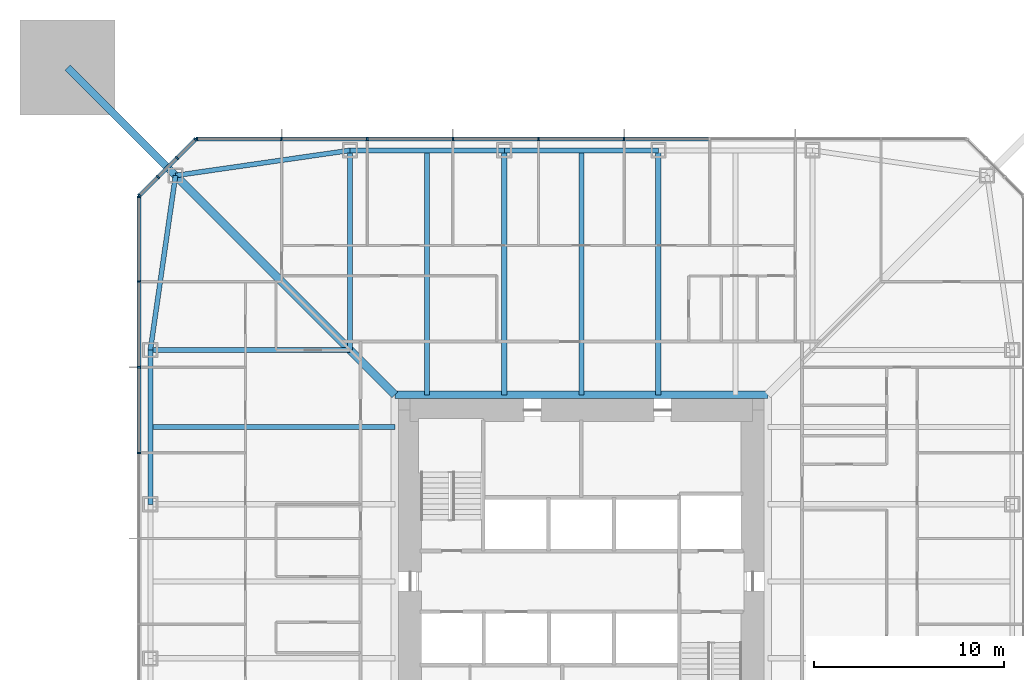
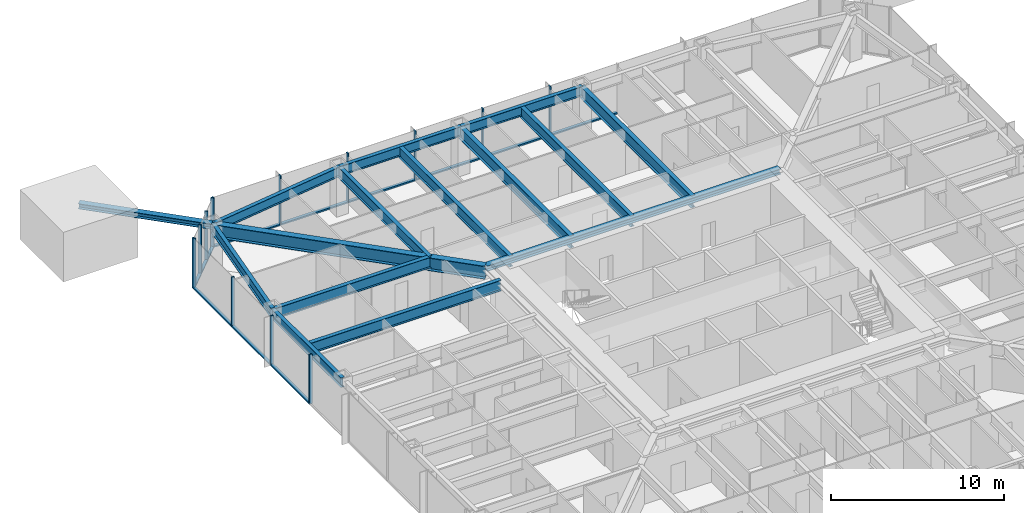
# One storey, part 6 of 26: 27 members, 14 beams, 3 elements without a shape of their own.
"""IFC4 building model written with IfcOpenShell, lengths in metres."""

from ifc_helpers import new_model, si_unit, direction, frame, origin, origin_2d, place, context, subcontext, project, spatial, rectangle, i_section, extrude, material, material_profile, profile_set, type_object, element, aggregate, save


model = new_model("IFC4")

# Units and contexts
model_context = context("Model", 3, precision=1e-05, world=origin(), true_north=direction((0.0, 1.0)))
body_context = subcontext(model_context, "Body", "Model", "MODEL_VIEW")
ifc_project = project(units=[si_unit("LENGTHUNIT", "METRE"), si_unit("AREAUNIT", "SQUARE_METRE"), si_unit("VOLUMEUNIT", "CUBIC_METRE"), si_unit("PLANEANGLEUNIT", "RADIAN"), si_unit("MASSUNIT", "GRAM", prefix="KILO")], contexts=[model_context])

# Site, building, storey
site_placement = place(None, origin())
site = spatial("IfcSite", under=ifc_project, at=site_placement, CompositionType="ELEMENT")
building_placement = place(site_placement, origin())
building = spatial("IfcBuilding", under=site, at=building_placement, Name="Iwan Alto Co-Living Towers", CompositionType="ELEMENT")
storey_placement = place(building_placement, frame((0.0, 0.0, 57.0)))
storey = spatial("IfcBuildingStorey", under=building, at=storey_placement, Name="L15", CompositionType="ELEMENT", Elevation=57.0)

# Curtain wall, members
ifc_material_1 = material(Name="Bronze aluminium unitised frame", Category="aluminium")
curtain_wall_type_1 = type_object("IfcCurtainWallType", Name="CURTAIN WALL CW-A", PredefinedType="NOTDEFINED", material=ifc_material_1)
curtain_wall_1_placement = place(storey_placement, origin())
curtain_wall_1 = element("IfcCurtainWall", 1, at=curtain_wall_1_placement, inside=storey, type_object=curtain_wall_type_1, Name="T1 curtain wall N L15", PredefinedType="NOTDEFINED")
ifc_material_2 = material(Name="Aluminium 6063-T6 bronze anodised", Category="aluminium")
ifc_material_profile_1 = material_profile(ifc_material_2, rectangle(XDim=0.199951171875, YDim=0.080078125, at=origin_2d()), Name="AL 80X200")
ifc_profile_set_1 = profile_set([ifc_material_profile_1], Name="Aluminium 6063-T6 bronze anodised")
member_type_1 = type_object("IfcMemberType", Name="CW-A MULLION 80X200", PredefinedType="MULLION", material=ifc_profile_set_1)
member_1_placement = place(storey_placement, frame((2.25, 23.25, 0.0), z_axis=(0.0, 0.0, 1.0), x_axis=(0.0, -1.0, 0.0)))
member_1 = element("IfcMember", 2, at=member_1_placement, type_object=member_type_1, Name="CW-A mullion 5", PredefinedType="MULLION", context=body_context, shape_type="SweptSolid", body=[
    extrude(rectangle(XDim=0.199951171875, YDim=0.080078125, at=origin_2d()), origin(), (0.0, 0.0, 1.0), 3.5),
])
member_2_placement = place(storey_placement, frame((-2.25, 23.25, 0.0), z_axis=(0.0, 0.0, 1.0), x_axis=(0.0, -1.0, 0.0)))
member_2 = element("IfcMember", 3, at=member_2_placement, type_object=member_type_1, Name="CW-A mullion 6", PredefinedType="MULLION", context=body_context, shape_type="SweptSolid", body=[
    extrude(rectangle(XDim=0.199951171875, YDim=0.080078125, at=origin_2d()), origin(), (0.0, 0.0, 1.0), 3.5),
])
member_3_placement = place(storey_placement, frame((-6.75, 23.25, 0.0), z_axis=(0.0, 0.0, 1.0), x_axis=(0.0, -1.0, 0.0)))
member_3 = element("IfcMember", 4, at=member_3_placement, type_object=member_type_1, Name="CW-A mullion 7", PredefinedType="MULLION", context=body_context, shape_type="SweptSolid", body=[
    extrude(rectangle(XDim=0.199951171875, YDim=0.080078125, at=origin_2d()), origin(), (0.0, 0.0, 1.0), 3.5),
])
member_4_placement = place(storey_placement, frame((-11.25, 23.25, 0.0), z_axis=(0.0, 0.0, 1.0), x_axis=(0.0, -1.0, 0.0)))
member_4 = element("IfcMember", 5, at=member_4_placement, type_object=member_type_1, Name="CW-A mullion 8", PredefinedType="MULLION", context=body_context, shape_type="SweptSolid", body=[
    extrude(rectangle(XDim=0.199951171875, YDim=0.080078125, at=origin_2d()), origin(), (0.0, 0.0, 1.0), 3.5),
])
member_5_placement = place(storey_placement, frame((-15.75, 23.25, 0.0), z_axis=(0.0, 0.0, 1.0), x_axis=(0.0, -1.0, 0.0)))
member_5 = element("IfcMember", 6, at=member_5_placement, type_object=member_type_1, Name="CW-A mullion 9", PredefinedType="MULLION", context=body_context, shape_type="SweptSolid", body=[
    extrude(rectangle(XDim=0.199951171875, YDim=0.080078125, at=origin_2d()), origin(), (0.0, 0.0, 1.0), 3.5),
])
member_6_placement = place(storey_placement, frame((-20.2099609375, 23.25, 0.0), z_axis=(0.0, 0.0, 1.0), x_axis=(0.0, -1.0, 0.0)))
member_6 = element("IfcMember", 7, at=member_6_placement, type_object=member_type_1, Name="CW-A mullion 10", PredefinedType="MULLION", context=body_context, shape_type="SweptSolid", body=[
    extrude(rectangle(XDim=0.199951171875, YDim=0.080078125, at=origin_2d()), origin(), (0.0, 0.0, 1.0), 3.5),
])

curtain_wall_2_placement = place(storey_placement, origin())
curtain_wall_2 = element("IfcCurtainWall", 8, at=curtain_wall_2_placement, inside=storey, type_object=curtain_wall_type_1, Name="T1 curtain wall W L15", PredefinedType="NOTDEFINED")
member_7_placement = place(storey_placement, frame((-23.25, 20.2099609375, 0.0), z_axis=(0.0, 0.0, 1.0), x_axis=(1.0, 0.0, 0.0)))
member_7 = element("IfcMember", 9, at=member_7_placement, type_object=member_type_1, Name="CW-A mullion 1", PredefinedType="MULLION", context=body_context, shape_type="SweptSolid", body=[
    extrude(rectangle(XDim=0.199951171875, YDim=0.080078125, at=origin_2d()), origin(), (0.0, 0.0, 1.0), 3.5),
])
member_8_placement = place(storey_placement, frame((-23.25, 15.75, 0.0), z_axis=(0.0, 0.0, 1.0), x_axis=(1.0, 0.0, 0.0)))
member_8 = element("IfcMember", 10, at=member_8_placement, type_object=member_type_1, Name="CW-A mullion 2", PredefinedType="MULLION", context=body_context, shape_type="SweptSolid", body=[
    extrude(rectangle(XDim=0.199951171875, YDim=0.080078125, at=origin_2d()), origin(), (0.0, 0.0, 1.0), 3.5),
])
member_9_placement = place(storey_placement, frame((-23.25, 11.25, 0.0), z_axis=(0.0, 0.0, 1.0), x_axis=(1.0, 0.0, 0.0)))
member_9 = element("IfcMember", 11, at=member_9_placement, type_object=member_type_1, Name="CW-A mullion 3", PredefinedType="MULLION", context=body_context, shape_type="SweptSolid", body=[
    extrude(rectangle(XDim=0.199951171875, YDim=0.080078125, at=origin_2d()), origin(), (0.0, 0.0, 1.0), 3.5),
])
member_10_placement = place(storey_placement, frame((-23.25, 6.75, 0.0), z_axis=(0.0, 0.0, 1.0), x_axis=(1.0, 0.0, 0.0)))
member_10 = element("IfcMember", 12, at=member_10_placement, type_object=member_type_1, Name="CW-A mullion 4", PredefinedType="MULLION", context=body_context, shape_type="SweptSolid", body=[
    extrude(rectangle(XDim=0.199951171875, YDim=0.080078125, at=origin_2d()), origin(), (0.0, 0.0, 1.0), 3.5),
])

# Member
ifc_material_3 = material(Name="Aluminium 6063-T6 bronze anodised", Category="aluminium")
ifc_material_profile_2 = material_profile(ifc_material_3, rectangle(XDim=0.199951171875, YDim=0.10009765625, at=origin_2d()), Name="AL 200X100")
ifc_profile_set_2 = profile_set([ifc_material_profile_2], Name="Aluminium 6063-T6 bronze anodised")
member_type_2 = type_object("IfcMemberType", Name="CW-A TRANSOM 200X100", PredefinedType="USERDEFINED", material=ifc_profile_set_2)
member_11_placement = place(storey_placement, frame((6.7099609375, 23.25, 0.050048828125), z_axis=(-1.0, 0.0, 0.0), x_axis=(0.0, -1.0, 0.0)))
member_11 = element("IfcMember", 13, at=member_11_placement, type_object=member_type_2, Name="CW-A transom 4.1", ObjectType="TRANSOM", PredefinedType="USERDEFINED", context=body_context, shape_type="SweptSolid", body=[
    extrude(rectangle(XDim=0.199951171875, YDim=0.10009765625, at=origin_2d()), origin(), (0.0, 0.0, 1.0), 4.419921875),
])

member_12_placement = place(storey_placement, frame((2.2099609375, 23.25, 0.050048828125), z_axis=(-1.0, 0.0, 0.0), x_axis=(0.0, -1.0, 0.0)))
member_12 = element("IfcMember", 14, at=member_12_placement, type_object=member_type_2, Name="CW-A transom 5.1", ObjectType="TRANSOM", PredefinedType="USERDEFINED", context=body_context, shape_type="SweptSolid", body=[
    extrude(rectangle(XDim=0.199951171875, YDim=0.10009765625, at=origin_2d()), origin(), (0.0, 0.0, 1.0), 4.419921875),
])

member_13_placement = place(storey_placement, frame((-2.2900390625, 23.25, 0.050048828125), z_axis=(-1.0, 0.0, 0.0), x_axis=(0.0, -1.0, 0.0)))
member_13 = element("IfcMember", 15, at=member_13_placement, type_object=member_type_2, Name="CW-A transom 6.1", ObjectType="TRANSOM", PredefinedType="USERDEFINED", context=body_context, shape_type="SweptSolid", body=[
    extrude(rectangle(XDim=0.199951171875, YDim=0.10009765625, at=origin_2d()), origin(), (0.0, 0.0, 1.0), 4.419921875),
])

member_14_placement = place(storey_placement, frame((-6.7900390625, 23.25, 0.050048828125), z_axis=(-1.0, 0.0, 0.0), x_axis=(0.0, -1.0, 0.0)))
member_14 = element("IfcMember", 16, at=member_14_placement, type_object=member_type_2, Name="CW-A transom 7.1", ObjectType="TRANSOM", PredefinedType="USERDEFINED", context=body_context, shape_type="SweptSolid", body=[
    extrude(rectangle(XDim=0.199951171875, YDim=0.10009765625, at=origin_2d()), origin(), (0.0, 0.0, 1.0), 4.419921875),
])

member_15_placement = place(storey_placement, frame((-11.2900390625, 23.25, 0.050048828125), z_axis=(-1.0, 0.0, 0.0), x_axis=(0.0, -1.0, 0.0)))
member_15 = element("IfcMember", 17, at=member_15_placement, type_object=member_type_2, Name="CW-A transom 8.1", ObjectType="TRANSOM", PredefinedType="USERDEFINED", context=body_context, shape_type="SweptSolid", body=[
    extrude(rectangle(XDim=0.199951171875, YDim=0.10009765625, at=origin_2d()), origin(), (0.0, 0.0, 1.0), 4.419921875),
])

member_16_placement = place(storey_placement, frame((-15.7900390625, 23.25, 0.050048828125), z_axis=(-1.0, 0.0, 0.0), x_axis=(0.0, -1.0, 0.0)))
member_16 = element("IfcMember", 18, at=member_16_placement, type_object=member_type_2, Name="CW-A transom 9.1", ObjectType="TRANSOM", PredefinedType="USERDEFINED", context=body_context, shape_type="SweptSolid", body=[
    extrude(rectangle(XDim=0.199951171875, YDim=0.10009765625, at=origin_2d()), origin(), (0.0, 0.0, 1.0), 4.3798828125),
])

aggregate(curtain_wall_1, [member_1, member_2, member_3, member_4, member_5, member_6, member_11, member_12, member_13, member_14, member_15, member_16])

member_17_placement = place(storey_placement, frame((-23.25, 20.169921875, 0.050048828125), z_axis=(0.0, -1.0, 0.0), x_axis=(1.0, 0.0, 0.0)))
member_17 = element("IfcMember", 19, at=member_17_placement, type_object=member_type_2, Name="CW-A transom 1.1", ObjectType="TRANSOM", PredefinedType="USERDEFINED", context=body_context, shape_type="SweptSolid", body=[
    extrude(rectangle(XDim=0.199951171875, YDim=0.10009765625, at=origin_2d()), origin(), (0.0, 0.0, 1.0), 4.3798828125),
])

member_18_placement = place(storey_placement, frame((-23.25, 15.7099609375, 0.050048828125), z_axis=(0.0, -1.0, 0.0), x_axis=(1.0, 0.0, 0.0)))
member_18 = element("IfcMember", 20, at=member_18_placement, type_object=member_type_2, Name="CW-A transom 2.1", ObjectType="TRANSOM", PredefinedType="USERDEFINED", context=body_context, shape_type="SweptSolid", body=[
    extrude(rectangle(XDim=0.199951171875, YDim=0.10009765625, at=origin_2d()), origin(), (0.0, 0.0, 1.0), 4.419921875),
])

member_19_placement = place(storey_placement, frame((-23.25, 11.2099609375, 0.050048828125), z_axis=(0.0, -1.0, 0.0), x_axis=(1.0, 0.0, 0.0)))
member_19 = element("IfcMember", 21, at=member_19_placement, type_object=member_type_2, Name="CW-A transom 3.1", ObjectType="TRANSOM", PredefinedType="USERDEFINED", context=body_context, shape_type="SweptSolid", body=[
    extrude(rectangle(XDim=0.199951171875, YDim=0.10009765625, at=origin_2d()), origin(), (0.0, 0.0, 1.0), 4.419921875),
])

aggregate(curtain_wall_2, [member_7, member_8, member_9, member_10, member_17, member_18, member_19])

# Curtain wall, members
ifc_material_4 = material(Name="Bronze aluminium unitised frame", Category="aluminium")
curtain_wall_type_2 = type_object("IfcCurtainWallType", Name="CURTAIN WALL CW-B", PredefinedType="NOTDEFINED", material=ifc_material_4)
curtain_wall_3_placement = place(storey_placement, origin())
curtain_wall_3 = element("IfcCurtainWall", 22, at=curtain_wall_3_placement, inside=storey, type_object=curtain_wall_type_2, Name="T1 chamfer curtain wall NW L15", PredefinedType="NOTDEFINED")
ifc_material_5 = material(Name="Aluminium 6063-T6 bronze anodised", Category="aluminium")
ifc_material_profile_3 = material_profile(ifc_material_5, rectangle(XDim=0.199951171875, YDim=0.080078125, at=origin_2d()), Name="AL 80X200")
ifc_profile_set_3 = profile_set([ifc_material_profile_3], Name="Aluminium 6063-T6 bronze anodised")
member_type_3 = type_object("IfcMemberType", Name="CW-B MULLION 80X200", PredefinedType="MULLION", material=ifc_profile_set_3)
member_20_placement = place(storey_placement, frame((-20.2783203125, 23.2216796875, 0.0), z_axis=(0.0, 0.0, 1.0), x_axis=(0.707106781187, -0.707106781187, 0.0)))
member_20 = element("IfcMember", 23, at=member_20_placement, type_object=member_type_3, Name="CW-B mullion 1", PredefinedType="MULLION", context=body_context, shape_type="SweptSolid", body=[
    extrude(rectangle(XDim=0.199951171875, YDim=0.080078125, at=origin_2d()), origin(), (0.0, 0.0, 1.0), 3.5),
])
member_21_placement = place(storey_placement, frame((-21.25, 22.25, 0.0), z_axis=(0.0, 0.0, 1.0), x_axis=(0.707106781187, -0.707106781187, 0.0)))
member_21 = element("IfcMember", 24, at=member_21_placement, type_object=member_type_3, Name="CW-B mullion 2", PredefinedType="MULLION", context=body_context, shape_type="SweptSolid", body=[
    extrude(rectangle(XDim=0.199951171875, YDim=0.080078125, at=origin_2d()), origin(), (0.0, 0.0, 1.0), 3.5),
])
member_22_placement = place(storey_placement, frame((-22.25, 21.25, 0.0), z_axis=(0.0, 0.0, 1.0), x_axis=(0.707106781187, -0.707106781187, 0.0)))
member_22 = element("IfcMember", 25, at=member_22_placement, type_object=member_type_3, Name="CW-B mullion 3", PredefinedType="MULLION", context=body_context, shape_type="SweptSolid", body=[
    extrude(rectangle(XDim=0.199951171875, YDim=0.080078125, at=origin_2d()), origin(), (0.0, 0.0, 1.0), 3.5),
])
member_23_placement = place(storey_placement, frame((-23.2216796875, 20.2783203125, 0.0), z_axis=(0.0, 0.0, 1.0), x_axis=(0.707106781187, -0.707106781187, 0.0)))
member_23 = element("IfcMember", 26, at=member_23_placement, type_object=member_type_3, Name="CW-B mullion 4", PredefinedType="MULLION", context=body_context, shape_type="SweptSolid", body=[
    extrude(rectangle(XDim=0.199951171875, YDim=0.080078125, at=origin_2d()), origin(), (0.0, 0.0, 1.0), 3.5),
])
ifc_material_6 = material(Name="Aluminium 6063-T6 bronze anodised", Category="aluminium")
ifc_material_profile_4 = material_profile(ifc_material_6, rectangle(XDim=0.199951171875, YDim=0.10009765625, at=origin_2d()), Name="AL 200X100")
ifc_profile_set_4 = profile_set([ifc_material_profile_4], Name="Aluminium 6063-T6 bronze anodised")
member_type_4 = type_object("IfcMemberType", Name="CW-B TRANSOM 200X100", PredefinedType="USERDEFINED", material=ifc_profile_set_4)
member_24_placement = place(storey_placement, frame((-20.306640625, 23.193359375, 0.050048828125), z_axis=(-0.707106781187, -0.707106781187, 0.0), x_axis=(0.707106781187, -0.707106781187, 0.0)))
member_24 = element("IfcMember", 27, at=member_24_placement, type_object=member_type_4, Name="CW-B transom 1.1", ObjectType="TRANSOM", PredefinedType="USERDEFINED", context=body_context, shape_type="SweptSolid", body=[
    extrude(rectangle(XDim=0.199951171875, YDim=0.10009765625, at=origin_2d()), origin(), (0.0, 0.0, 1.0), 1.2939453125),
])
member_25_placement = place(storey_placement, frame((-21.2783203125, 22.2216796875, 0.050048828125), z_axis=(-0.707106781187, -0.707106781187, 0.0), x_axis=(0.707106781187, -0.707106781187, 0.0)))
member_25 = element("IfcMember", 28, at=member_25_placement, type_object=member_type_4, Name="CW-B transom 2.1", ObjectType="TRANSOM", PredefinedType="USERDEFINED", context=body_context, shape_type="SweptSolid", body=[
    extrude(rectangle(XDim=0.199951171875, YDim=0.10009765625, at=origin_2d()), origin(), (0.0, 0.0, 1.0), 1.334228515625),
])
member_26_placement = place(storey_placement, frame((-22.2783203125, 21.2216796875, 0.050048828125), z_axis=(-0.707106781187, -0.707106781187, 0.0), x_axis=(0.707106781187, -0.707106781187, 0.0)))
member_26 = element("IfcMember", 29, at=member_26_placement, type_object=member_type_4, Name="CW-B transom 3.1", ObjectType="TRANSOM", PredefinedType="USERDEFINED", context=body_context, shape_type="SweptSolid", body=[
    extrude(rectangle(XDim=0.199951171875, YDim=0.10009765625, at=origin_2d()), origin(), (0.0, 0.0, 1.0), 1.2939453125),
])
aggregate(curtain_wall_3, [member_20, member_21, member_22, member_23, member_24, member_25, member_26])

# Beams
ifc_material_7 = material(Name="Steel ASTM A992 Gr 50", Category="steel")
ifc_material_profile_5 = material_profile(ifc_material_7, i_section(OverallWidth=0.398681640625, OverallDepth=0.385986328125, WebThickness=0.02099609375, FlangeThickness=0.033203125, at=origin_2d()), Name="W14X176")
ifc_profile_set_5 = profile_set([ifc_material_profile_5], Name="Steel ASTM A992 Gr 50")
beam_type_1 = type_object("IfcBeamType", Name="T1 CORE LEDGER BEAM W14X176", PredefinedType="BEAM", material=ifc_profile_set_5)
beam_1_placement = place(storey_placement, frame((9.79931640625, 9.79931640625, 3.076904296875), z_axis=(-1.0, 0.0, 0.0), x_axis=(0.0, -1.0, 0.0)))
element("IfcBeam", 30, at=beam_1_placement, inside=storey, type_object=beam_type_1, Name="T1 core ledger beam N L16", PredefinedType="BEAM", context=body_context, shape_type="SweptSolid", body=[
    extrude(i_section(OverallWidth=0.398681640625, OverallDepth=0.385986328125, WebThickness=0.02099609375, FlangeThickness=0.033203125, at=origin_2d()), origin(), (0.0, 0.0, 1.0), 19.5986328125),
])
ifc_material_8 = material(Name="Steel ASTM A992 Gr 50", Category="steel")
ifc_material_profile_6 = material_profile(ifc_material_8, i_section(OverallWidth=0.419189453125, OverallDepth=0.927001953125, WebThickness=0.019287109375, FlangeThickness=0.031982421875, at=origin_2d()), Name="W36X231")
ifc_profile_set_6 = profile_set([ifc_material_profile_6], Name="Steel ASTM A992 Gr 50")
beam_type_2 = type_object("IfcBeamType", Name="T1 CORNER GIRDER W36X231", PredefinedType="BEAM", material=ifc_profile_set_6)
beam_2_placement = place(storey_placement, frame((-21.32568359375, 21.32568359375, 2.806396484375), z_axis=(0.707106781187, -0.707106781187, 0.0), x_axis=(0.707106781187, 0.707106781187, 0.0)))
element("IfcBeam", 31, at=beam_2_placement, inside=storey, type_object=beam_type_2, Name="T1 corner girder CNW L16", PredefinedType="BEAM", context=body_context, shape_type="SweptSolid", body=[
    extrude(i_section(OverallWidth=0.419189453125, OverallDepth=0.927001953125, WebThickness=0.019287109375, FlangeThickness=0.031982421875, at=origin_2d()), origin(), (0.0, 0.0, 1.0), 16.30078125),
])
ifc_material_9 = material(Name="Steel ASTM A992 Gr 50", Category="steel")
ifc_material_profile_7 = material_profile(ifc_material_9, i_section(OverallWidth=0.25390625, OverallDepth=0.683349609375, WebThickness=0.012451171875, FlangeThickness=0.018798828125, at=origin_2d()), Name="W27X94")
ifc_profile_set_7 = profile_set([ifc_material_profile_7], Name="Steel ASTM A992 Gr 50")
beam_type_3 = type_object("IfcBeamType", Name="T1 EDGE BEAM W27X94", PredefinedType="BEAM", material=ifc_profile_set_7)
beam_3_placement = place(storey_placement, frame((4.050048828125, 22.64990234375, 2.928466796875), z_axis=(-1.0, 0.0, 0.0), x_axis=(0.0, -1.0, 0.0)))
element("IfcBeam", 32, at=beam_3_placement, inside=storey, type_object=beam_type_3, Name="T1 edge beam N2 L16", PredefinedType="BEAM", context=body_context, shape_type="SweptSolid", body=[
    extrude(i_section(OverallWidth=0.25390625, OverallDepth=0.683349609375, WebThickness=0.012451171875, FlangeThickness=0.018798828125, at=origin_2d()), origin(), (0.0, 0.0, 1.0), 8.10009765625),
])
beam_4_placement = place(storey_placement, frame((-4.050048828125, 22.64990234375, 2.928466796875), z_axis=(-1.0, 0.0, 0.0), x_axis=(0.0, -1.0, 0.0)))
element("IfcBeam", 33, at=beam_4_placement, inside=storey, type_object=beam_type_3, Name="T1 edge beam N3 L16", PredefinedType="BEAM", context=body_context, shape_type="SweptSolid", body=[
    extrude(i_section(OverallWidth=0.25390625, OverallDepth=0.683349609375, WebThickness=0.012451171875, FlangeThickness=0.018798828125, at=origin_2d()), origin(), (0.0, 0.0, 1.0), 8.099853515625),
])
for number, where, z_axis, x_axis, name in (
    (34, (-12.14990234375, 22.64990234375, 2.928466796875), (-0.989746234347, -0.142836940589, 0.0), (0.142836940589, -0.989746234347, 0.0), "T1 edge beam N4 L16"),
    (35, (-21.32568359375, 21.32568359375, 2.928466796875), (-0.142836940589, -0.989746234347, 0.0), (0.989746234347, -0.142836940589, 0.0), "T1 edge beam CNW L16"),
):
    element("IfcBeam", number, at=place(storey_placement, frame(where, z_axis=z_axis, x_axis=x_axis)), inside=storey, type_object=beam_type_3, Name=name, PredefinedType="BEAM", context=body_context, shape_type="SweptSolid", body=[
        extrude(i_section(OverallWidth=0.25390625, OverallDepth=0.683349609375, WebThickness=0.012451171875, FlangeThickness=0.018798828125, at=origin_2d()), origin(), (0.0, 0.0, 1.0), 9.270751953125),
    ])
beam_5_placement = place(storey_placement, frame((-22.64990234375, 12.14990234375, 2.928466796875), z_axis=(0.0, -1.0, 0.0), x_axis=(1.0, 0.0, 0.0)))
element("IfcBeam", 36, at=beam_5_placement, inside=storey, type_object=beam_type_3, Name="T1 edge beam W1 L16", PredefinedType="BEAM", context=body_context, shape_type="SweptSolid", body=[
    extrude(i_section(OverallWidth=0.25390625, OverallDepth=0.683349609375, WebThickness=0.012451171875, FlangeThickness=0.018798828125, at=origin_2d()), origin(), (0.0, 0.0, 1.0), 8.099853515625),
])

# Member
ifc_material_10 = material(Name="Steel ASTM A992 Gr 50", Category="steel")
ifc_material_profile_8 = material_profile(ifc_material_10, i_section(OverallWidth=0.393798828125, OverallDepth=0.3759765625, WebThickness=0.017333984375, FlangeThickness=0.027587890625, at=origin_2d()), Name="W14X145")
ifc_profile_set_8 = profile_set([ifc_material_profile_8], Name="Steel ASTM A992 Gr 50")
member_type_5 = type_object("IfcMemberType", Name="T1 MEGA COLUMN FLOOR TIE W14X145", PredefinedType="STRUT", material=ifc_profile_set_8)
member_27_placement = place(storey_placement, frame((-27.0, 27.0, 3.08203125), z_axis=(0.707106781187, -0.707106781187, 0.0), x_axis=(0.707106781187, 0.707106781187, 0.0)))
element("IfcMember", 37, at=member_27_placement, inside=storey, type_object=member_type_5, Name="T1 mega column floor tie NW L16", PredefinedType="STRUT", context=body_context, shape_type="SweptSolid", body=[
    extrude(i_section(OverallWidth=0.393798828125, OverallDepth=0.3759765625, WebThickness=0.017333984375, FlangeThickness=0.027587890625, at=origin_2d()), origin(), (0.0, 0.0, 1.0), 8.024658203125),
])

# Beams
ifc_material_11 = material(Name="Steel ASTM A992 Gr 50", Category="steel")
ifc_material_profile_9 = material_profile(ifc_material_11, i_section(OverallWidth=0.2666015625, OverallDepth=0.761962890625, WebThickness=0.014404296875, FlangeThickness=0.021484375, at=origin_2d()), Name="W30X116")
ifc_profile_set_9 = profile_set([ifc_material_profile_9], Name="Steel ASTM A992 Gr 50")
beam_type_4 = type_object("IfcBeamType", Name="T1 RADIAL BEAM W30X116", PredefinedType="BEAM", material=ifc_profile_set_9)
for number, where, z_axis, x_axis, name in (
    (38, (-12.14990234375, 22.64990234375, 2.888916015625), (0.0, -1.0, 0.0), (1.0, 0.0, 0.0), "T1 radial beam N4 L16"),
    (39, (-22.64990234375, 12.14990234375, 2.888916015625), (1.0, 0.0, 0.0), (0.0, 1.0, 0.0), "T1 radial beam W1 L16"),
):
    element("IfcBeam", number, at=place(storey_placement, frame(where, z_axis=z_axis, x_axis=x_axis)), inside=storey, type_object=beam_type_4, Name=name, PredefinedType="BEAM", context=body_context, shape_type="SweptSolid", body=[
        extrude(i_section(OverallWidth=0.2666015625, OverallDepth=0.761962890625, WebThickness=0.014404296875, FlangeThickness=0.021484375, at=origin_2d()), origin(), (0.0, 0.0, 1.0), 10.5),
    ])
ifc_material_12 = material(Name="Steel ASTM A992 Gr 50", Category="steel")
ifc_material_profile_10 = material_profile(ifc_material_12, i_section(OverallWidth=0.2919921875, OverallDepth=0.8408203125, WebThickness=0.0146484375, FlangeThickness=0.021728515625, at=origin_2d()), Name="W33X130")
ifc_profile_set_10 = profile_set([ifc_material_profile_10], Name="Steel ASTM A992 Gr 50")
beam_type_5 = type_object("IfcBeamType", Name="T1 RADIAL BEAM W33X130", PredefinedType="BEAM", material=ifc_profile_set_10)
for number, where, z_axis, x_axis, name in (
    (40, (4.050048828125, 22.64990234375, 2.849609375), (0.0, -1.0, 0.0), (1.0, 0.0, 0.0), "T1 radial beam N2 L16"),
    (41, (-4.050048828125, 22.64990234375, 2.849609375), (0.0, -1.0, 0.0), (1.0, 0.0, 0.0), "T1 radial beam N3 L16"),
):
    element("IfcBeam", number, at=place(storey_placement, frame(where, z_axis=z_axis, x_axis=x_axis)), inside=storey, type_object=beam_type_5, Name=name, PredefinedType="BEAM", context=body_context, shape_type="SweptSolid", body=[
        extrude(i_section(OverallWidth=0.2919921875, OverallDepth=0.8408203125, WebThickness=0.0146484375, FlangeThickness=0.021728515625, at=origin_2d()), origin(), (0.0, 0.0, 1.0), 12.8505859375),
    ])
ifc_material_13 = material(Name="Steel ASTM A992 Gr 50", Category="steel")
ifc_material_profile_11 = material_profile(ifc_material_13, i_section(OverallWidth=0.2666015625, OverallDepth=0.761962890625, WebThickness=0.014404296875, FlangeThickness=0.021484375, at=origin_2d()), Name="W30X116")
ifc_profile_set_11 = profile_set([ifc_material_profile_11], Name="Steel ASTM A992 Gr 50")
beam_type_6 = type_object("IfcBeamType", Name="T1 SECONDARY BEAM W30X116", PredefinedType="JOIST", material=ifc_profile_set_11)
for number, where, z_axis, x_axis, name in (
    (42, (0.0, 22.64990234375, 2.888916015625), (0.0, -1.0, 0.0), (1.0, 0.0, 0.0), "T1 secondary beam N2 L16"),
    (43, (-8.10009765625, 22.64990234375, 2.888916015625), (0.0, -1.0, 0.0), (1.0, 0.0, 0.0), "T1 secondary beam N3 L16"),
    (44, (-22.64990234375, 8.10009765625, 2.888916015625), (1.0, 0.0, 0.0), (0.0, 1.0, 0.0), "T1 secondary beam W1 L16"),
):
    element("IfcBeam", number, at=place(storey_placement, frame(where, z_axis=z_axis, x_axis=x_axis)), inside=storey, type_object=beam_type_6, Name=name, PredefinedType="JOIST", context=body_context, shape_type="SweptSolid", body=[
        extrude(i_section(OverallWidth=0.2666015625, OverallDepth=0.761962890625, WebThickness=0.014404296875, FlangeThickness=0.021484375, at=origin_2d()), origin(), (0.0, 0.0, 1.0), 12.8505859375),
    ])

save(model, "model.ifc")
